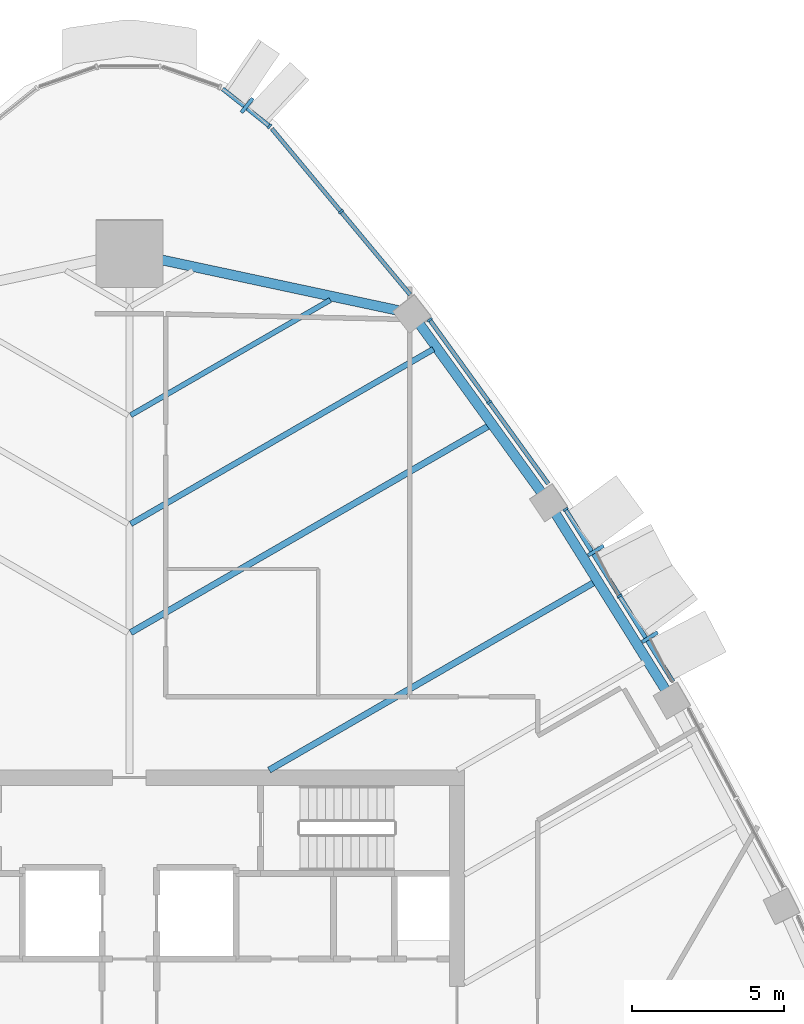
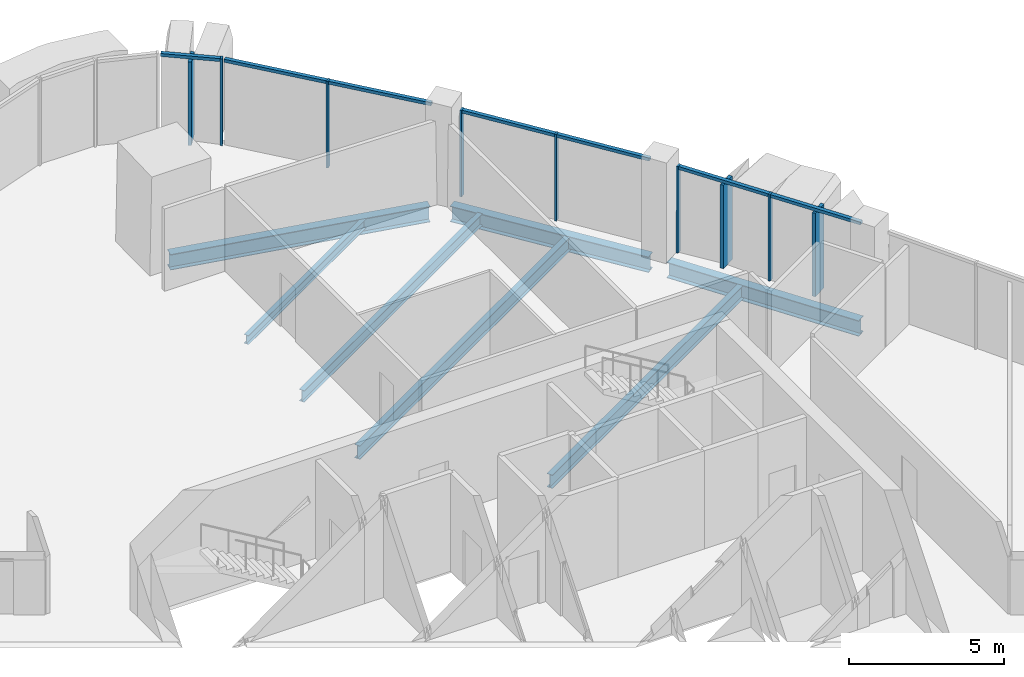
# One storey, part 7 of 18: 16 members, 7 beams, 4 elements without a shape of their own.
"""IFC4 building model written with IfcOpenShell, lengths in metres."""

import ifcopenshell
import ifcopenshell.guid

model = None  # the IFC model being written
_history = None  # IfcOwnerHistory: only IFC2X3 demands one
_inside = {}  # id of a spatial element -> (the spatial element, [elements in it])
_under = {}  # id of a project, library or spatial element -> (it, [spatial elements below it])
_declared = {}  # id of a project -> (the project, [libraries it declares])
_typed = {}  # id of a type object -> (the type object, [elements of that type])
_made_of = {}  # id of a material, layer set ... -> (it, [elements and type objects made of it])


def new_model(schema):
    """Start an empty IFC model of exactly this schema.

    Asked for "IFC4X3", IfcOpenShell would pick the latest addendum, in which some entities
    have other attributes; the version numbers below select the first issue.
    IFC2X3 requires an IfcOwnerHistory on every rooted entity: one is made here for all.
    """
    global model, _history
    if schema == "IFC4X3":
        model = ifcopenshell.file(schema_version=(4, 3, 0, 0))
    else:
        model = ifcopenshell.file(schema=schema)
    _inside.clear()
    _under.clear()
    _declared.clear()
    _typed.clear()
    _made_of.clear()
    _history = None
    if model.schema == "IFC2X3":
        org = make("IfcOrganization", Name="unknown")
        user = make(
            "IfcPersonAndOrganization",
            ThePerson=make("IfcPerson", FamilyName="unknown"),
            TheOrganization=org,
        )
        app = make(
            "IfcApplication",
            ApplicationDeveloper=org,
            Version="unknown",
            ApplicationFullName="unknown",
            ApplicationIdentifier="unknown",
        )
        _history = make(
            "IfcOwnerHistory",
            OwningUser=user,
            OwningApplication=app,
            ChangeAction="ADDED",
            CreationDate=0,
        )
    return model


def make(cls, **values):
    """One entity of the class cls with the attributes given. An attribute that is None is left unset."""
    return model.create_entity(
        cls, **{name: value for name, value in values.items() if value is not None}
    )


def rooted(cls, **values):
    """An entity with a GlobalId (a new one), such as an element, a storey or a relation."""
    return make(cls, GlobalId=ifcopenshell.guid.new(), OwnerHistory=_history, **values)


def si_unit(unit_type, name, prefix=None):
    """IfcSIUnit, for example si_unit("LENGTHUNIT", "METRE", prefix="MILLI")."""
    return make("IfcSIUnit", UnitType=unit_type, Prefix=prefix, Name=name)


def assignment(units):
    """IfcUnitAssignment: the units of a project."""
    return None if units is None else make("IfcUnitAssignment", Units=units)


def point(xyz):
    """IfcCartesianPoint."""
    return None if xyz is None else make("IfcCartesianPoint", Coordinates=xyz)


def direction(xyz):
    """IfcDirection."""
    return None if xyz is None else make("IfcDirection", DirectionRatios=xyz)


def frame(location, z_axis=None, x_axis=None):
    """IfcAxis2Placement3D, a coordinate frame: its origin and axes. An axis left out is left unset."""
    return make(
        "IfcAxis2Placement3D",
        Location=point(location),
        Axis=direction(z_axis),
        RefDirection=direction(x_axis),
    )


def frame_2d(location, x_axis=None):
    """IfcAxis2Placement2D, a coordinate frame in the plane: its origin and x axis."""
    return make(
        "IfcAxis2Placement2D", Location=point(location), RefDirection=direction(x_axis)
    )


def origin():
    """The frame at (0, 0, 0) with its axes left unset."""
    return frame((0.0, 0.0, 0.0))


def origin_2d():
    """The frame at (0, 0) in the plane with its x axis left unset."""
    return frame_2d((0.0, 0.0))


def place(relative_to, where):
    """IfcLocalPlacement: puts the frame where relative to a parent placement (None: the world)."""
    return make(
        "IfcLocalPlacement", PlacementRelTo=relative_to, RelativePlacement=where
    )


def context(
    kind, dimensions, precision=None, world=None, true_north=None, identifier=None
):
    """IfcGeometricRepresentationContext, for example the 3D "Model" context."""
    return make(
        "IfcGeometricRepresentationContext",
        ContextIdentifier=identifier,
        ContextType=kind,
        CoordinateSpaceDimension=dimensions,
        Precision=precision,
        WorldCoordinateSystem=world,
        TrueNorth=true_north,
    )


def subcontext(parent, identifier, kind, view, scale=None):
    """IfcGeometricRepresentationSubContext, for example "Body" below "Model"."""
    return make(
        "IfcGeometricRepresentationSubContext",
        ContextIdentifier=identifier,
        ContextType=kind,
        ParentContext=parent,
        TargetScale=scale,
        TargetView=view,
    )


def project(units=None, contexts=None):
    """IfcProject with its units and contexts."""
    return rooted(
        "IfcProject",
        Name="project",
        RepresentationContexts=contexts,
        UnitsInContext=assignment(units),
    )


def spatial(cls, under=None, at=None, **own):
    """A site, building, storey or space (cls), placed at a placement, below another one or the project."""
    s = rooted(cls, ObjectPlacement=at, **own)
    if under is not None:
        _under.setdefault(under.id(), (under, []))[1].append(s)
    return s


def profile(cls, at=None, kind="AREA", **sizes):
    """A parametric profile (cls). Its sizes go by their IFC names, for example OverallWidth=200.0."""
    return make(cls, ProfileType=kind, Position=at, **sizes)


def rectangle(**sizes):
    """IfcRectangleProfileDef."""
    return profile("IfcRectangleProfileDef", **sizes)


def i_section(**sizes):
    """IfcIShapeProfileDef."""
    return profile("IfcIShapeProfileDef", **sizes)


def extrude(swept, where, along, depth):
    """IfcExtrudedAreaSolid: the profile swept, set in the frame where, extruded along a direction by depth."""
    return make(
        "IfcExtrudedAreaSolid",
        SweptArea=swept,
        Position=where,
        ExtrudedDirection=direction(along),
        Depth=depth,
    )


def shape(context_of_items, identifier, shape_type, items):
    """IfcShapeRepresentation: the items that make up one representation, for example the "Body"."""
    return make(
        "IfcShapeRepresentation",
        ContextOfItems=context_of_items,
        RepresentationIdentifier=identifier,
        RepresentationType=shape_type,
        Items=items,
    )


def material(Name=None, Category=None):
    """IfcMaterial."""
    return make("IfcMaterial", Name=Name, Category=Category)


def layer(
    of_material, thickness, ventilated=None, Name=None, Category=None, Priority=None
):
    """IfcMaterialLayer: one layer of a wall or slab, of a material (None: an air gap)."""
    return make(
        "IfcMaterialLayer",
        Material=of_material,
        LayerThickness=thickness,
        IsVentilated=ventilated,
        Name=Name,
        Category=Category,
        Priority=Priority,
    )


def layer_set(layers, Name=None):
    """IfcMaterialLayerSet."""
    return make("IfcMaterialLayerSet", MaterialLayers=layers, LayerSetName=Name)


def material_profile(
    of_material, cross_section, Name=None, Category=None, Priority=None
):
    """IfcMaterialProfile: a cross section and its material."""
    return make(
        "IfcMaterialProfile",
        Name=Name,
        Material=of_material,
        Profile=cross_section,
        Priority=Priority,
        Category=Category,
    )


def profile_set(profiles, Name=None, composite=None):
    """IfcMaterialProfileSet."""
    return make(
        "IfcMaterialProfileSet",
        Name=Name,
        MaterialProfiles=profiles,
        CompositeProfile=composite,
    )


def made_of(thing, what):
    """Note that an element or type object is made of a material, layer set ...; save() writes the relation."""
    if what is not None:
        _made_of.setdefault(what.id(), (what, []))[1].append(thing)
    return thing


def type_object(cls, material=None, **own):
    """A type object (cls), such as IfcWallType, which elements share."""
    return made_of(rooted(cls, **own), material)


def element(
    cls,
    number,
    at=None,
    inside=None,
    cuts=None,
    type_object=None,
    material=None,
    context=None,
    identifier="Body",
    shape_type=None,
    held_by="IfcProductDefinitionShape",
    body=None,
    shapes=None,
    **own,
):
    """One element of the class cls, such as IfcWall. Its Tag is "e" and its number.

    at: its placement. inside: the storey or other place that contains it. cuts: it is an
    opening in that element (IfcRelVoidsElement). A single representation is given by context,
    identifier, shape_type and body (its items); several are given by shapes. held_by: the class
    of the entity that holds the representations. save() writes the other relations.
    """
    e = rooted(cls, Tag="e%d" % number, ObjectPlacement=at, **own)
    if body is not None:
        shapes = [shape(context, identifier, shape_type, body)]
    if shapes is not None:
        e.Representation = make(held_by, Representations=shapes)
    if inside is not None:
        _inside.setdefault(inside.id(), (inside, []))[1].append(e)
    if cuts is not None:
        rooted(
            "IfcRelVoidsElement", RelatingBuildingElement=cuts, RelatedOpeningElement=e
        )
    if type_object is not None:
        _typed.setdefault(type_object.id(), (type_object, []))[1].append(e)
    return made_of(e, material)


def aggregate(whole, parts):
    """IfcRelAggregates: a whole, such as a stair, and the parts it consists of."""
    return rooted("IfcRelAggregates", RelatingObject=whole, RelatedObjects=parts)


def save(model, path):
    """Write the relations noted so far, then the file.

    IfcRelAggregates (storeys below a building ...), IfcRelContainedInSpatialStructure (elements
    in a storey), IfcRelDefinesByType, IfcRelAssociatesMaterial and IfcRelDeclares: one each for
    every whole, place, type object, material and project.
    """
    for whole, parts in _under.values():
        aggregate(whole, parts)
    for where, things in _inside.values():
        rooted(
            "IfcRelContainedInSpatialStructure",
            RelatedElements=things,
            RelatingStructure=where,
        )
    for kind, things in _typed.values():
        rooted("IfcRelDefinesByType", RelatedObjects=things, RelatingType=kind)
    for what, things in _made_of.values():
        rooted("IfcRelAssociatesMaterial", RelatedObjects=things, RelatingMaterial=what)
    for by, libraries in _declared.values():
        rooted("IfcRelDeclares", RelatingContext=by, RelatedDefinitions=libraries)
    model.write(path)


model = new_model("IFC4")

# Units and contexts
model_context = context("Model", 3, precision=1e-05, world=origin(), true_north=direction((0.0, 1.0)))
body_context = subcontext(model_context, "Body", "Model", "MODEL_VIEW")
ifc_project = project(units=[si_unit("LENGTHUNIT", "METRE"), si_unit("AREAUNIT", "SQUARE_METRE"), si_unit("VOLUMEUNIT", "CUBIC_METRE"), si_unit("PLANEANGLEUNIT", "RADIAN"), si_unit("MASSUNIT", "GRAM", prefix="KILO")], contexts=[model_context])

# Site, building, storey
site_placement = place(None, origin())
site = spatial("IfcSite", under=ifc_project, at=site_placement, CompositionType="ELEMENT")
building_placement = place(site_placement, origin())
building = spatial("IfcBuilding", under=site, at=building_placement, Name="Sierra Prisma Convention Tower", CompositionType="ELEMENT")
storey_placement = place(building_placement, frame((0.0, 0.0, 255.0)))
storey = spatial("IfcBuildingStorey", under=building, at=storey_placement, Name="L57", CompositionType="ELEMENT", Elevation=255.0)

# Curtain wall, members
ifc_material_1 = material(Name="Aluminium and glass curtain wall", Category="aluminium")
ifc_layer_1 = layer(ifc_material_1, 0.179931640625)
ifc_layer_set_1 = layer_set([ifc_layer_1], Name="CW-2 Faceted crystal curtain wall")
curtain_wall_type_1 = type_object("IfcCurtainWallType", Name="CW-2 Faceted crystal curtain wall", PredefinedType="NOTDEFINED", material=ifc_layer_set_1)
curtain_wall_1_placement = place(storey_placement, origin())
curtain_wall_1 = element("IfcCurtainWall", 1, at=curtain_wall_1_placement, inside=storey, type_object=curtain_wall_type_1, Name="CW-2 NE4 L57", PredefinedType="NOTDEFINED")
ifc_material_2 = material(Name="Aluminium 6063-T6 bronze anodised", Category="aluminium")
ifc_material_profile_1 = material_profile(ifc_material_2, rectangle(XDim=0.1201171875, YDim=0.60009765625, at=origin_2d()), Name="ALU RIDGE BLADE 120x600")
ifc_profile_set_1 = profile_set([ifc_material_profile_1], Name="Aluminium 6063-T6 bronze anodised")
member_type_1 = type_object("IfcMemberType", Name="CW hip bronze", PredefinedType="MULLION", material=ifc_profile_set_1)
member_1_placement = place(storey_placement, frame((17.082275390625, 12.360107421875, 0.0), z_axis=(0.0, 0.0, 1.0), x_axis=(-0.529331483166, 0.848415099423, 0.0)))
member_1 = element("IfcMember", 2, at=member_1_placement, type_object=member_type_1, Name="CW-2 ridge NE4.1", PredefinedType="MULLION", context=body_context, shape_type="SweptSolid", body=[
    extrude(rectangle(XDim=0.1201171875, YDim=0.60009765625, at=origin_2d()), origin(), (0.0, 0.0, 1.0), 3.280029296875),
])
member_2_placement = place(storey_placement, frame((15.308837890625, 15.202392578125, 0.0), z_axis=(0.0, 0.0, 1.0), x_axis=(-0.529331483166, 0.848415099423, 0.0)))
member_2 = element("IfcMember", 3, at=member_2_placement, type_object=member_type_1, Name="CW-2 ridge NE4.2", PredefinedType="MULLION", context=body_context, shape_type="SweptSolid", body=[
    extrude(rectangle(XDim=0.1201171875, YDim=0.60009765625, at=origin_2d()), origin(), (0.0, 0.0, 1.0), 3.280029296875),
])

# Curtain wall, member
curtain_wall_2_placement = place(storey_placement, origin())
curtain_wall_2 = element("IfcCurtainWall", 4, at=curtain_wall_2_placement, inside=storey, type_object=curtain_wall_type_1, Name="CW-2 N1 L57", PredefinedType="NOTDEFINED")
member_3_placement = place(storey_placement, frame((3.864501953125, 29.81103515625, 0.0), z_axis=(0.0, 0.0, 1.0), x_axis=(-0.781623092763, 0.623751024737, 0.0)))
member_3 = element("IfcMember", 5, at=member_3_placement, type_object=member_type_1, Name="CW-2 ridge N1.1", PredefinedType="MULLION", context=body_context, shape_type="SweptSolid", body=[
    extrude(rectangle(XDim=0.1201171875, YDim=0.60009765625, at=origin_2d()), origin(), (0.0, 0.0, 1.0), 3.280029296875),
])

# Member
ifc_material_3 = material(Name="Aluminium 6063-T6 bronze anodised", Category="aluminium")
ifc_material_profile_2 = material_profile(ifc_material_3, rectangle(XDim=0.179931640625, YDim=0.070068359375, at=origin_2d()), Name="ALU MULLION 70x180")
ifc_profile_set_2 = profile_set([ifc_material_profile_2], Name="Aluminium 6063-T6 bronze anodised")
member_type_2 = type_object("IfcMemberType", Name="CW mullion bronze", PredefinedType="MULLION", material=ifc_profile_set_2)
member_4_placement = place(storey_placement, frame((16.086181640625, 13.712890625, 0.0), z_axis=(0.0, 0.0, 1.0), x_axis=(-0.848415099423, -0.529331483166, 0.0)))
member_4 = element("IfcMember", 6, at=member_4_placement, type_object=member_type_2, Name="CW-1 mullion NE4.2", PredefinedType="MULLION", context=body_context, shape_type="SweptSolid", body=[
    extrude(rectangle(XDim=0.179931640625, YDim=0.070068359375, at=origin_2d()), origin(), (0.0, 0.0, 1.0), 3.39990234375),
])

member_5_placement = place(storey_placement, frame((14.312744140625, 16.554931640625, 0.0), z_axis=(0.0, 0.0, 1.0), x_axis=(-0.848415099423, -0.529331483166, 0.0)))
member_5 = element("IfcMember", 7, at=member_5_placement, type_object=member_type_2, Name="CW-1 mullion NE4.3", PredefinedType="MULLION", context=body_context, shape_type="SweptSolid", body=[
    extrude(rectangle(XDim=0.179931640625, YDim=0.070068359375, at=origin_2d()), origin(), (0.0, 0.0, 1.0), 3.39990234375),
])

# Curtain wall, members
ifc_material_4 = material(Name="Aluminium and glass curtain wall", Category="aluminium")
ifc_layer_2 = layer(ifc_material_4, 0.179931640625)
ifc_layer_set_2 = layer_set([ifc_layer_2], Name="CW-1 Plain shaft curtain wall")
curtain_wall_type_2 = type_object("IfcCurtainWallType", Name="CW-1 Plain shaft curtain wall", PredefinedType="NOTDEFINED", material=ifc_layer_set_2)
curtain_wall_3_placement = place(storey_placement, origin())
curtain_wall_3 = element("IfcCurtainWall", 8, at=curtain_wall_3_placement, inside=storey, type_object=curtain_wall_type_2, Name="CW-1 NE5 L57", PredefinedType="NOTDEFINED")
member_6_placement = place(storey_placement, frame((11.81103515625, 20.071533203125, 0.0), z_axis=(0.0, 0.0, 1.0), x_axis=(-0.810237160586, -0.586102161407, 0.0)))
member_6 = element("IfcMember", 9, at=member_6_placement, type_object=member_type_2, Name="CW-1 mullion NE5.2", PredefinedType="MULLION", context=body_context, shape_type="SweptSolid", body=[
    extrude(rectangle(XDim=0.179931640625, YDim=0.070068359375, at=origin_2d()), origin(), (0.0, 0.0, 1.0), 3.39990234375),
])
member_7_placement = place(storey_placement, frame((9.8564453125, 22.773681640625, 0.0), z_axis=(0.0, 0.0, 1.0), x_axis=(-0.810237160586, -0.586102161407, 0.0)))
member_7 = element("IfcMember", 10, at=member_7_placement, type_object=member_type_2, Name="CW-1 mullion NE5.3", PredefinedType="MULLION", context=body_context, shape_type="SweptSolid", body=[
    extrude(rectangle(XDim=0.179931640625, YDim=0.070068359375, at=origin_2d()), origin(), (0.0, 0.0, 1.0), 3.39990234375),
])

# Curtain wall, member
curtain_wall_4_placement = place(storey_placement, origin())
curtain_wall_4 = element("IfcCurtainWall", 11, at=curtain_wall_4_placement, inside=storey, type_object=curtain_wall_type_2, Name="CW-1 NE6 L57", PredefinedType="NOTDEFINED")
member_8_placement = place(storey_placement, frame((6.944580078125, 26.324462890625, 0.0), z_axis=(0.0, 0.0, 1.0), x_axis=(-0.76826693514, -0.640129609041, 0.0)))
member_8 = element("IfcMember", 12, at=member_8_placement, type_object=member_type_2, Name="CW-1 mullion NE6.2", PredefinedType="MULLION", context=body_context, shape_type="SweptSolid", body=[
    extrude(rectangle(XDim=0.179931640625, YDim=0.070068359375, at=origin_2d()), origin(), (0.0, 0.0, 1.0), 3.39990234375),
])

# Member
member_9_placement = place(storey_placement, frame((4.602783203125, 29.124267578125, 0.0), z_axis=(0.0, 0.0, 1.0), x_axis=(-0.623751024737, -0.781623092763, 0.0)))
member_9 = element("IfcMember", 13, at=member_9_placement, type_object=member_type_2, Name="CW-1 mullion N1.1", PredefinedType="MULLION", context=body_context, shape_type="SweptSolid", body=[
    extrude(rectangle(XDim=0.179931640625, YDim=0.070068359375, at=origin_2d()), origin(), (0.0, 0.0, 1.0), 3.39990234375),
])

ifc_material_5 = material(Name="Aluminium 6063-T6 bronze anodised", Category="aluminium")
ifc_material_profile_3 = material_profile(ifc_material_5, rectangle(XDim=0.139892578125, YDim=0.1201171875, at=origin_2d()), Name="ALU TRANSOM 120x140")
ifc_profile_set_3 = profile_set([ifc_material_profile_3], Name="Aluminium 6063-T6 bronze anodised")
member_type_3 = type_object("IfcMemberType", Name="CW transom bronze", PredefinedType="USERDEFINED", material=ifc_profile_set_3)
member_10_placement = place(storey_placement, frame((17.8408203125, 10.900390625, 3.340087890625), z_axis=(-0.529369874381, 0.848391145697, 0.0), x_axis=(-0.848391145697, -0.529369874381, 0.0)))
member_10 = element("IfcMember", 14, at=member_10_placement, type_object=member_type_3, Name="CW-1 transom NE4.1", ObjectType="TRANSOM", PredefinedType="USERDEFINED", context=body_context, shape_type="SweptSolid", body=[
    extrude(rectangle(XDim=0.139892578125, YDim=0.1201171875, at=origin_2d()), origin(), (0.0, 0.0, 1.0), 3.280029296875),
])

member_11_placement = place(storey_placement, frame((16.067626953125, 13.74267578125, 3.340087890625), z_axis=(-0.529369874381, 0.848391145697, 0.0), x_axis=(-0.848391145697, -0.529369874381, 0.0)))
member_11 = element("IfcMember", 15, at=member_11_placement, type_object=member_type_3, Name="CW-1 transom NE4.2", ObjectType="TRANSOM", PredefinedType="USERDEFINED", context=body_context, shape_type="SweptSolid", body=[
    extrude(rectangle(XDim=0.139892578125, YDim=0.1201171875, at=origin_2d()), origin(), (0.0, 0.0, 1.0), 3.280029296875),
])

aggregate(curtain_wall_1, [member_4, member_5, member_10, member_1, member_11, member_2])

member_12_placement = place(storey_placement, frame((13.744873046875, 17.39794921875, 3.340087890625), z_axis=(-0.586066515589, 0.810262944546, 0.0), x_axis=(-0.810262944546, -0.586066515589, 0.0)))
member_12 = element("IfcMember", 16, at=member_12_placement, type_object=member_type_3, Name="CW-1 transom NE5.1", ObjectType="TRANSOM", PredefinedType="USERDEFINED", context=body_context, shape_type="SweptSolid", body=[
    extrude(rectangle(XDim=0.139892578125, YDim=0.1201171875, at=origin_2d()), origin(), (0.0, 0.0, 1.0), 3.2646484375),
])

member_13_placement = place(storey_placement, frame((11.79052734375, 20.10009765625, 3.340087890625), z_axis=(-0.586115608691, 0.810227433039, 0.0), x_axis=(-0.810227433039, -0.586115608691, 0.0)))
member_13 = element("IfcMember", 17, at=member_13_placement, type_object=member_type_3, Name="CW-1 transom NE5.2", ObjectType="TRANSOM", PredefinedType="USERDEFINED", context=body_context, shape_type="SweptSolid", body=[
    extrude(rectangle(XDim=0.139892578125, YDim=0.1201171875, at=origin_2d()), origin(), (0.0, 0.0, 1.0), 3.264892578125),
])

aggregate(curtain_wall_3, [member_6, member_7, member_12, member_13])

member_14_placement = place(storey_placement, frame((9.214599609375, 23.600341796875, 3.340087890625), z_axis=(-0.640157040464, 0.768244078106, 0.0), x_axis=(-0.768244078106, -0.640157040464, 0.0)))
member_14 = element("IfcMember", 18, at=member_14_placement, type_object=member_type_3, Name="CW-1 transom NE6.1", ObjectType="TRANSOM", PredefinedType="USERDEFINED", context=body_context, shape_type="SweptSolid", body=[
    extrude(rectangle(XDim=0.139892578125, YDim=0.1201171875, at=origin_2d()), origin(), (0.0, 0.0, 1.0), 3.510986328125),
])

member_15_placement = place(storey_placement, frame((6.92236328125, 26.351318359375, 3.340087890625), z_axis=(-0.640122843609, 0.768272572131, 0.0), x_axis=(-0.768272572131, -0.640122843609, 0.0)))
member_15 = element("IfcMember", 19, at=member_15_placement, type_object=member_type_3, Name="CW-1 transom NE6.2", ObjectType="TRANSOM", PredefinedType="USERDEFINED", context=body_context, shape_type="SweptSolid", body=[
    extrude(rectangle(XDim=0.139892578125, YDim=0.1201171875, at=origin_2d()), origin(), (0.0, 0.0, 1.0), 3.51123046875),
])

aggregate(curtain_wall_4, [member_8, member_14, member_15])

member_16_placement = place(storey_placement, frame((4.575439453125, 29.146240234375, 3.340087890625), z_axis=(-0.781629199577, 0.623743372204, 0.0), x_axis=(-0.623743372204, -0.781629199577, 0.0)))
member_16 = element("IfcMember", 20, at=member_16_placement, type_object=member_type_3, Name="CW-1 transom N1.1", ObjectType="TRANSOM", PredefinedType="USERDEFINED", context=body_context, shape_type="SweptSolid", body=[
    extrude(rectangle(XDim=0.139892578125, YDim=0.1201171875, at=origin_2d()), origin(), (0.0, 0.0, 1.0), 1.940673828125),
])

aggregate(curtain_wall_2, [member_9, member_16, member_3])

# Beams
ifc_material_6 = material(Name="Steel ASTM A992 Gr 50", Category="steel")
ifc_material_profile_4 = material_profile(ifc_material_6, i_section(OverallWidth=0.172119140625, OverallDepth=0.35791015625, WebThickness=0.0078125, FlangeThickness=0.01318359375, at=origin_2d()), Name="W360x57")
ifc_profile_set_4 = profile_set([ifc_material_profile_4], Name="Steel ASTM A992 Gr 50")
beam_type_1 = type_object("IfcBeamType", Name="Floor joist W360x57", PredefinedType="JOIST", material=ifc_profile_set_4)
beam_1_placement = place(storey_placement, frame((6.595947265625, 23.42626953125, -0.3291015625), z_axis=(-0.866021635076, -0.500006527538, 0.0), x_axis=(0.500006527538, -0.866021635076, 0.0)))
element("IfcBeam", 21, at=beam_1_placement, inside=storey, type_object=beam_type_1, Name="Floor joist L57 NE13", PredefinedType="JOIST", context=body_context, shape_type="SweptSolid", body=[
    extrude(i_section(OverallWidth=0.172119140625, OverallDepth=0.35791015625, WebThickness=0.0078125, FlangeThickness=0.01318359375, at=origin_2d()), origin(), (0.0, 0.0, 1.0), 7.5634765625),
])
ifc_material_7 = material(Name="Steel ASTM A992 Gr 50", Category="steel")
ifc_material_profile_5 = material_profile(ifc_material_7, i_section(OverallWidth=0.18994140625, OverallDepth=0.45703125, WebThickness=0.009033203125, FlangeThickness=0.014404296875, at=origin_2d()), Name="W460x74")
ifc_profile_set_5 = profile_set([ifc_material_profile_5], Name="Steel ASTM A992 Gr 50")
beam_type_2 = type_object("IfcBeamType", Name="Floor joist W460x74", PredefinedType="JOIST", material=ifc_profile_set_5)
beam_2_placement = place(storey_placement, frame((9.980224609375, 21.813232421875, -0.37841796875), z_axis=(-0.866025033342, -0.500000641624, 0.0), x_axis=(0.500000641624, -0.866025033342, 0.0)))
element("IfcBeam", 22, at=beam_2_placement, inside=storey, type_object=beam_type_2, Name="Floor joist L57 NE12", PredefinedType="JOIST", context=body_context, shape_type="SweptSolid", body=[
    extrude(i_section(OverallWidth=0.18994140625, OverallDepth=0.45703125, WebThickness=0.009033203125, FlangeThickness=0.014404296875, at=origin_2d()), origin(), (0.0, 0.0, 1.0), 11.47119140625),
])
ifc_material_8 = material(Name="Steel ASTM A992 Gr 50", Category="steel")
ifc_material_profile_6 = material_profile(ifc_material_8, i_section(OverallWidth=0.208984375, OverallDepth=0.532958984375, WebThickness=0.01025390625, FlangeThickness=0.015625, at=origin_2d()), Name="W530x92")
ifc_profile_set_6 = profile_set([ifc_material_profile_6], Name="Steel ASTM A992 Gr 50")
beam_type_3 = type_object("IfcBeamType", Name="Floor joist W530x92", PredefinedType="JOIST", material=ifc_profile_set_6)
beam_3_placement = place(storey_placement, frame((15.26123046875, 14.161376953125, -0.41650390625), z_axis=(-0.866026561648, -0.499997994516, 0.0), x_axis=(0.499997994516, -0.866026561648, 0.0)))
element("IfcBeam", 23, at=beam_3_placement, inside=storey, type_object=beam_type_3, Name="Floor joist L57 NE09", PredefinedType="JOIST", context=body_context, shape_type="SweptSolid", body=[
    extrude(i_section(OverallWidth=0.208984375, OverallDepth=0.532958984375, WebThickness=0.01025390625, FlangeThickness=0.015625, at=origin_2d()), origin(), (0.0, 0.0, 1.0), 12.32275390625),
])
beam_4_placement = place(storey_placement, frame((11.80029296875, 19.297119140625, -0.41650390625), z_axis=(-0.866026229868, -0.499998569178, 0.0), x_axis=(0.499998569178, -0.866026229868, 0.0)))
element("IfcBeam", 24, at=beam_4_placement, inside=storey, type_object=beam_type_3, Name="Floor joist L57 NE11", PredefinedType="JOIST", context=body_context, shape_type="SweptSolid", body=[
    extrude(i_section(OverallWidth=0.208984375, OverallDepth=0.532958984375, WebThickness=0.01025390625, FlangeThickness=0.015625, at=origin_2d()), origin(), (0.0, 0.0, 1.0), 13.57275390625),
])
ifc_material_9 = material(Name="Steel ASTM A992 Gr 50", Category="steel")
ifc_material_profile_7 = material_profile(ifc_material_9, i_section(OverallWidth=0.324951171875, OverallDepth=0.615966796875, WebThickness=0.013916015625, FlangeThickness=0.021484375, at=origin_2d()), Name="W610x174")
ifc_profile_set_7 = profile_set([ifc_material_profile_7], Name="Steel ASTM A992 Gr 50")
beam_type_4 = type_object("IfcBeamType", Name="Spandrel beam W610x174", PredefinedType="BEAM", material=ifc_profile_set_7)
beam_5_placement = place(storey_placement, frame((17.63818359375, 10.564453125, -0.4580078125), z_axis=(-0.529343329706, 0.848407708178, 0.0), x_axis=(-0.848407708178, -0.529343329706, 0.0)))
element("IfcBeam", 25, at=beam_5_placement, inside=storey, type_object=beam_type_4, Name="Spandrel L57-10", PredefinedType="BEAM", context=body_context, shape_type="SweptSolid", body=[
    extrude(i_section(OverallWidth=0.324951171875, OverallDepth=0.615966796875, WebThickness=0.013916015625, FlangeThickness=0.021484375, at=origin_2d()), origin(), (0.0, 0.0, 1.0), 6.99755859375),
])
beam_6_placement = place(storey_placement, frame((13.565673828125, 17.049072265625, -0.4580078125), z_axis=(-0.586099318327, 0.81023921718, 0.0), x_axis=(-0.81023921718, -0.586099318327, 0.0)))
element("IfcBeam", 26, at=beam_6_placement, inside=storey, type_object=beam_type_4, Name="Spandrel L57-11", PredefinedType="BEAM", context=body_context, shape_type="SweptSolid", body=[
    extrude(i_section(OverallWidth=0.324951171875, OverallDepth=0.615966796875, WebThickness=0.013916015625, FlangeThickness=0.021484375, at=origin_2d()), origin(), (0.0, 0.0, 1.0), 6.997314453125),
])
beam_7_placement = place(storey_placement, frame((8.813232421875, 23.083984375, -0.4580078125), z_axis=(-0.977895829233, 0.209092676027, 0.0), x_axis=(-0.209092676027, -0.977895829233, 0.0)))
element("IfcBeam", 27, at=beam_7_placement, inside=storey, type_object=beam_type_4, Name="Spandrel L57-12", PredefinedType="BEAM", context=body_context, shape_type="SweptSolid", body=[
    extrude(i_section(OverallWidth=0.324951171875, OverallDepth=0.615966796875, WebThickness=0.013916015625, FlangeThickness=0.021484375, at=origin_2d()), origin(), (0.0, 0.0, 1.0), 8.78759765625),
])

save(model, "model.ifc")
